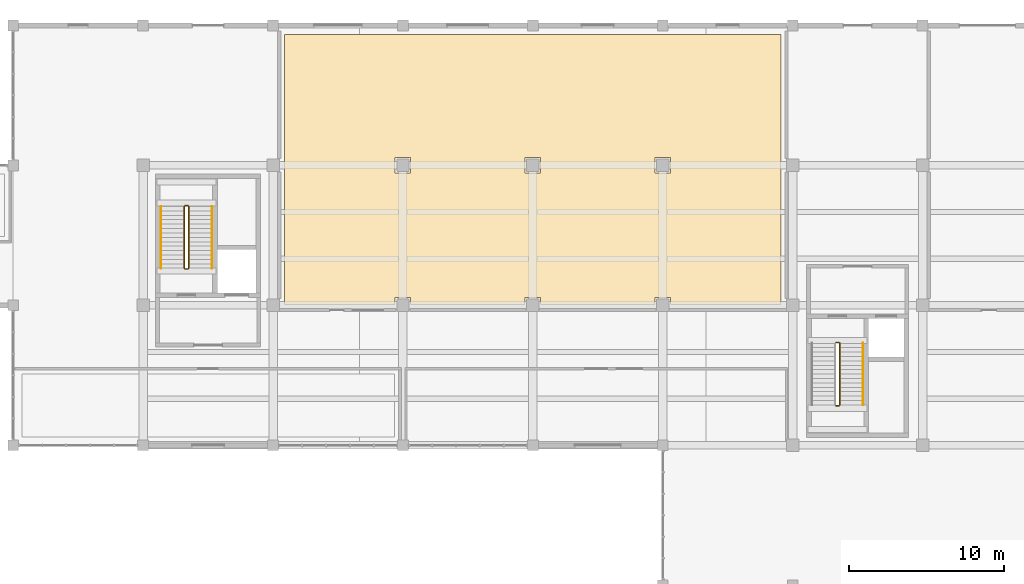
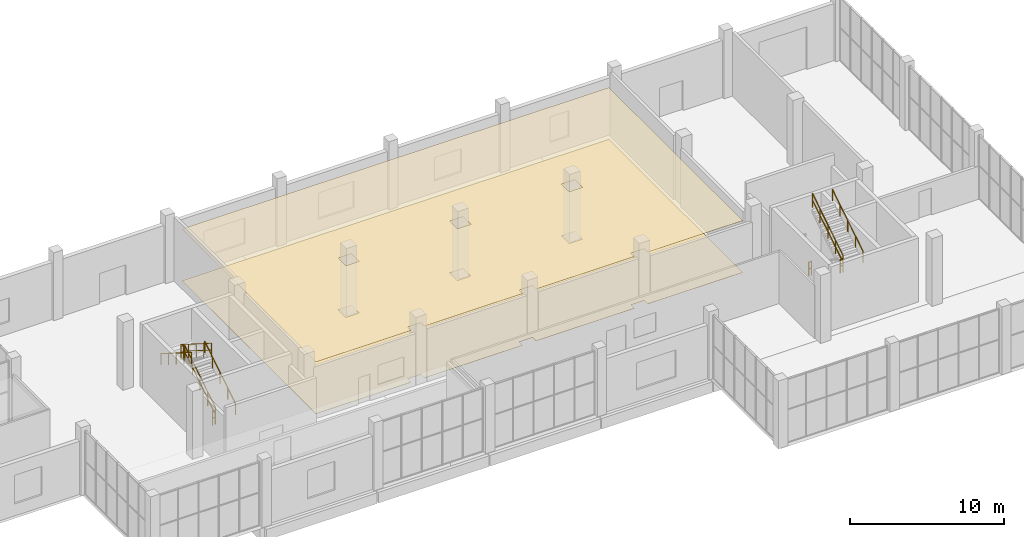
# One storey, part 90 of 91: 10 railings, 2 coverings.
"""IFC4 building model written with IfcOpenShell, lengths in metres."""

from ifc_helpers import new_model, si_unit, direction, frame, origin, origin_2d, place, context, subcontext, project, spatial, polyline, circle, outline, extrude, material, layer, layer_set, type_object, element, save


model = new_model("IFC4")

# Units and contexts
model_context = context("Model", 3, precision=1e-05, world=origin(), true_north=direction((0.0, 1.0)))
body_context = subcontext(model_context, "Body", "Model", "MODEL_VIEW")
ifc_project = project(units=[si_unit("LENGTHUNIT", "METRE"), si_unit("AREAUNIT", "SQUARE_METRE"), si_unit("VOLUMEUNIT", "CUBIC_METRE"), si_unit("PLANEANGLEUNIT", "RADIAN"), si_unit("MASSUNIT", "GRAM", prefix="KILO")], contexts=[model_context])

# Site, building, storey
site_placement = place(None, origin())
site = spatial("IfcSite", under=ifc_project, at=site_placement, CompositionType="ELEMENT")
building_placement = place(site_placement, origin())
building = spatial("IfcBuilding", under=site, at=building_placement, Name="Khurvash Pelagic Aquarium", CompositionType="ELEMENT")
storey_placement = place(building_placement, origin())
storey = spatial("IfcBuildingStorey", under=building, at=storey_placement, Name="L00", CompositionType="ELEMENT", Elevation=0.0)

# Coverings
ifc_material_1 = material(Name="Moisture-resistant acoustic mineral-fibre ceiling", Category="finish")
ifc_layer_1 = layer(ifc_material_1, 0.02490234375)
ifc_layer_set_1 = layer_set([ifc_layer_1], Name="Moisture-resistant acoustic mineral-fibre ceiling")
covering_type_1 = type_object("IfcCoveringType", Name="CV-CLG", PredefinedType="CEILING", material=ifc_layer_set_1)
covering_1_placement = place(storey_placement, frame((0.0, 0.0, 4.114990234375)))
element("IfcCovering", 1, at=covering_1_placement, inside=storey, type_object=covering_type_1, Name="L00 Elasmobranch Acclimation Tank Hall Suspended Acoustic Ceiling", PredefinedType="CEILING", context=body_context, shape_type="SweptSolid", body=[
    extrude(outline(polyline([(92.89990234375, 93.60009765625), (92.89990234375, 93.14990234375), (100.300048828125, 93.14990234375), (100.300048828125, 93.60009765625), (101.300048828125, 93.60009765625), (101.300048828125, 93.14990234375), (108.449951171875, 93.14990234375), (108.449951171875, 110.60009765625), (76.35009765625, 110.60009765625), (76.35009765625, 93.14990234375), (83.5, 93.14990234375), (83.5, 93.60009765625), (84.5, 93.60009765625), (84.5, 93.14990234375), (91.89990234375, 93.14990234375), (91.89990234375, 93.60009765625), (92.89990234375, 93.60009765625)]), holes=[polyline([(84.5, 101.64990234375), (83.5, 101.64990234375), (83.5, 102.64990234375), (84.5, 102.64990234375), (84.5, 101.64990234375)]), polyline([(91.89990234375, 102.64990234375), (92.89990234375, 102.64990234375), (92.89990234375, 101.64990234375), (91.89990234375, 101.64990234375), (91.89990234375, 102.64990234375)]), polyline([(101.300048828125, 101.64990234375), (100.300048828125, 101.64990234375), (100.300048828125, 102.64990234375), (101.300048828125, 102.64990234375), (101.300048828125, 101.64990234375)])]), origin(), (0.0, 0.0, 1.0), 0.02490234375),
])
ifc_material_2 = material(Name="Slip-resistant terrazzo and epoxy resin flooring", Category="finish")
ifc_layer_2 = layer(ifc_material_2, 0.02001953125)
ifc_layer_set_2 = layer_set([ifc_layer_2], Name="Slip-resistant terrazzo and epoxy resin flooring")
covering_type_2 = type_object("IfcCoveringType", Name="CV-FLR", PredefinedType="FLOORING", material=ifc_layer_set_2)
covering_2_placement = place(storey_placement, origin())
element("IfcCovering", 2, at=covering_2_placement, inside=storey, type_object=covering_type_2, Name="L00 Elasmobranch Acclimation Tank Hall Terrazzo Floor Finish", PredefinedType="FLOORING", context=body_context, shape_type="SweptSolid", body=[
    extrude(outline(polyline([(92.89990234375, 93.60009765625), (92.89990234375, 93.14990234375), (100.300048828125, 93.14990234375), (100.300048828125, 93.60009765625), (101.300048828125, 93.60009765625), (101.300048828125, 93.14990234375), (108.449951171875, 93.14990234375), (108.449951171875, 110.60009765625), (76.35009765625, 110.60009765625), (76.35009765625, 93.14990234375), (83.5, 93.14990234375), (83.5, 93.60009765625), (84.5, 93.60009765625), (84.5, 93.14990234375), (91.89990234375, 93.14990234375), (91.89990234375, 93.60009765625), (92.89990234375, 93.60009765625)]), holes=[polyline([(84.5, 101.64990234375), (83.5, 101.64990234375), (83.5, 102.64990234375), (84.5, 102.64990234375), (84.5, 101.64990234375)]), polyline([(91.89990234375, 102.64990234375), (92.89990234375, 102.64990234375), (92.89990234375, 101.64990234375), (91.89990234375, 101.64990234375), (91.89990234375, 102.64990234375)]), polyline([(101.300048828125, 101.64990234375), (100.300048828125, 101.64990234375), (100.300048828125, 102.64990234375), (101.300048828125, 102.64990234375), (101.300048828125, 101.64990234375)])]), origin(), (0.0, 0.0, 1.0), 0.02001953125),
])

# Railings
ifc_material_3 = material(Name="Powder-coated galvanised steel S355J2", Category="steel")
railing_type_1 = type_object("IfcRailingType", Name="GR-01", PredefinedType="GUARDRAIL", material=ifc_material_3)
railing_1_placement = place(storey_placement, frame((70.14990234375, 95.5, 0.179931640625)))
element("IfcRailing", 3, at=railing_1_placement, inside=storey, type_object=railing_type_1, Name="L00 ST-04 stair guard 1", PredefinedType="GUARDRAIL", context=body_context, shape_type="SweptSolid", body=[
    extrude(circle(Radius=0.02392578125, at=origin_2d()), frame((0.0, 0.0, 1.076171875), z_axis=(0.0, 0.845486444383, 0.533996884227), x_axis=(-1.0, 0.0, 0.0)), (0.0, 0.0, 1.0), 4.71923828125),
    extrude(circle(Radius=0.02392578125, at=origin_2d()), frame((0.0, 0.0, 0.5380859375), z_axis=(0.0, 0.845486444383, 0.533996884227), x_axis=(-1.0, 0.0, 0.0)), (0.0, 0.0, 1.0), 4.71923828125),
    extrude(circle(Radius=0.02099609375, at=origin_2d()), origin(), (0.0, 0.0, 1.0), 1.052001953125),
    extrude(circle(Radius=0.02099609375, at=origin_2d()), frame((0.0, 0.99755859375, 0.6298828125)), (0.0, 0.0, 1.0), 1.052001953125),
    extrude(circle(Radius=0.02099609375, at=origin_2d()), frame((0.0, 1.9951171875, 1.260009765625)), (0.0, 0.0, 1.0), 1.052001953125),
    extrude(circle(Radius=0.02099609375, at=origin_2d()), frame((0.0, 2.992431640625, 1.89013671875)), (0.0, 0.0, 1.0), 1.052001953125),
    extrude(circle(Radius=0.02099609375, at=origin_2d()), frame((0.0, 3.989990234375, 2.52001953125)), (0.0, 0.0, 1.0), 1.052001953125),
])
railing_2_placement = place(storey_placement, frame((70.10009765625, 99.5400390625, 2.699951171875)))
element("IfcRailing", 4, at=railing_2_placement, inside=storey, type_object=railing_type_1, Name="L00 ST-04 stair guard 2", PredefinedType="GUARDRAIL", context=body_context, shape_type="SweptSolid", body=[
    extrude(circle(Radius=0.02392578125, at=origin_2d()), frame((0.0, 0.0, 1.076171875), z_axis=(-1.0, 0.0, 0.0), x_axis=(0.0, -1.0, 0.0)), (0.0, 0.0, 1.0), 0.2001953125),
    extrude(circle(Radius=0.02392578125, at=origin_2d()), frame((0.0, 0.0, 0.5380859375), z_axis=(-1.0, 0.0, 0.0), x_axis=(0.0, -1.0, 0.0)), (0.0, 0.0, 1.0), 0.2001953125),
    extrude(circle(Radius=0.02099609375, at=origin_2d()), origin(), (0.0, 0.0, 1.0), 1.052001953125),
    extrude(circle(Radius=0.02099609375, at=origin_2d()), frame((-0.2001953125, 0.0, 0.0)), (0.0, 0.0, 1.0), 1.052001953125),
])
railing_3_placement = place(storey_placement, frame((69.85009765625, 99.489990234375, 2.8798828125)))
element("IfcRailing", 5, at=railing_3_placement, inside=storey, type_object=railing_type_1, Name="L00 ST-04 stair guard 3", PredefinedType="GUARDRAIL", context=body_context, shape_type="SweptSolid", body=[
    extrude(circle(Radius=0.02392578125, at=origin_2d()), frame((0.0, 0.0, 1.076171875), z_axis=(0.0, -0.845486444383, 0.533996884227), x_axis=(1.0, 0.0, 0.0)), (0.0, 0.0, 1.0), 4.71923828125),
    extrude(circle(Radius=0.02392578125, at=origin_2d()), frame((0.0, 0.0, 0.5380859375), z_axis=(0.0, -0.845486444383, 0.533996884227), x_axis=(1.0, 0.0, 0.0)), (0.0, 0.0, 1.0), 4.71923828125),
    extrude(circle(Radius=0.02099609375, at=origin_2d()), origin(), (0.0, 0.0, 1.0), 1.052001953125),
    extrude(circle(Radius=0.02099609375, at=origin_2d()), frame((0.0, -0.99755859375, 0.6298828125)), (0.0, 0.0, 1.0), 1.052001953125),
    extrude(circle(Radius=0.02099609375, at=origin_2d()), frame((0.0, -1.9951171875, 1.260009765625)), (0.0, 0.0, 1.0), 1.052001953125),
    extrude(circle(Radius=0.02099609375, at=origin_2d()), frame((0.0, -2.992431640625, 1.89013671875)), (0.0, 0.0, 1.0), 1.052001953125),
    extrude(circle(Radius=0.02099609375, at=origin_2d()), frame((0.0, -3.989990234375, 2.52001953125)), (0.0, 0.0, 1.0), 1.052001953125),
])
railing_4_placement = place(storey_placement, frame((70.10009765625, 95.449951171875, 0.0)))
element("IfcRailing", 6, at=railing_4_placement, inside=storey, type_object=railing_type_1, Name="L00 ST-04 stair guard 4", PredefinedType="GUARDRAIL", context=body_context, shape_type="SweptSolid", body=[
    extrude(circle(Radius=0.02392578125, at=origin_2d()), frame((0.0, 0.0, 1.076171875), z_axis=(-1.0, 0.0, 0.0), x_axis=(0.0, -1.0, 0.0)), (0.0, 0.0, 1.0), 0.2001953125),
    extrude(circle(Radius=0.02392578125, at=origin_2d()), frame((0.0, 0.0, 0.5380859375), z_axis=(-1.0, 0.0, 0.0), x_axis=(0.0, -1.0, 0.0)), (0.0, 0.0, 1.0), 0.2001953125),
    extrude(circle(Radius=0.02099609375, at=origin_2d()), origin(), (0.0, 0.0, 1.0), 1.052001953125),
    extrude(circle(Radius=0.02099609375, at=origin_2d()), frame((-0.2001953125, 0.0, 0.0)), (0.0, 0.0, 1.0), 1.052001953125),
])
railing_5_placement = place(storey_placement, frame((112.0, 86.610107421875, 2.699951171875)))
element("IfcRailing", 7, at=railing_5_placement, inside=storey, type_object=railing_type_1, Name="L00 ST-06 stair guard 2", PredefinedType="GUARDRAIL", context=body_context, shape_type="SweptSolid", body=[
    extrude(circle(Radius=0.02392578125, at=origin_2d()), frame((0.0, 0.0, 1.076171875), z_axis=(1.0, 0.0, 0.0), x_axis=(0.0, 1.0, 0.0)), (0.0, 0.0, 1.0), 0.199951171875),
    extrude(circle(Radius=0.02392578125, at=origin_2d()), frame((0.0, 0.0, 0.5380859375), z_axis=(1.0, 0.0, 0.0), x_axis=(0.0, 1.0, 0.0)), (0.0, 0.0, 1.0), 0.199951171875),
    extrude(circle(Radius=0.02099609375, at=origin_2d()), origin(), (0.0, 0.0, 1.0), 1.052001953125),
    extrude(circle(Radius=0.02099609375, at=origin_2d()), frame((0.199951171875, 0.0, 0.0)), (0.0, 0.0, 1.0), 1.052001953125),
])
railing_6_placement = place(storey_placement, frame((112.25, 86.659912109375, 2.8798828125)))
element("IfcRailing", 8, at=railing_6_placement, inside=storey, type_object=railing_type_1, Name="L00 ST-06 stair guard 3", PredefinedType="GUARDRAIL", context=body_context, shape_type="SweptSolid", body=[
    extrude(circle(Radius=0.02392578125, at=origin_2d()), frame((0.0, 0.0, 1.076171875), z_axis=(0.0, 0.845486444383, 0.533996884227), x_axis=(-1.0, 0.0, 0.0)), (0.0, 0.0, 1.0), 4.71923828125),
    extrude(circle(Radius=0.02392578125, at=origin_2d()), frame((0.0, 0.0, 0.5380859375), z_axis=(0.0, 0.845486444383, 0.533996884227), x_axis=(-1.0, 0.0, 0.0)), (0.0, 0.0, 1.0), 4.71923828125),
    extrude(circle(Radius=0.02099609375, at=origin_2d()), origin(), (0.0, 0.0, 1.0), 1.052001953125),
    extrude(circle(Radius=0.02099609375, at=origin_2d()), frame((0.0, 0.99755859375, 0.6298828125)), (0.0, 0.0, 1.0), 1.052001953125),
    extrude(circle(Radius=0.02099609375, at=origin_2d()), frame((0.0, 1.9951171875, 1.260009765625)), (0.0, 0.0, 1.0), 1.052001953125),
    extrude(circle(Radius=0.02099609375, at=origin_2d()), frame((0.0, 2.992431640625, 1.89013671875)), (0.0, 0.0, 1.0), 1.052001953125),
    extrude(circle(Radius=0.02099609375, at=origin_2d()), frame((0.0, 3.989990234375, 2.52001953125)), (0.0, 0.0, 1.0), 1.052001953125),
])
railing_7_placement = place(storey_placement, frame((112.0, 90.699951171875, 0.0)))
element("IfcRailing", 9, at=railing_7_placement, inside=storey, type_object=railing_type_1, Name="L00 ST-06 stair guard 4", PredefinedType="GUARDRAIL", context=body_context, shape_type="SweptSolid", body=[
    extrude(circle(Radius=0.02392578125, at=origin_2d()), frame((0.0, 0.0, 1.076171875), z_axis=(1.0, 0.0, 0.0), x_axis=(0.0, 1.0, 0.0)), (0.0, 0.0, 1.0), 0.199951171875),
    extrude(circle(Radius=0.02392578125, at=origin_2d()), frame((0.0, 0.0, 0.5380859375), z_axis=(1.0, 0.0, 0.0), x_axis=(0.0, 1.0, 0.0)), (0.0, 0.0, 1.0), 0.199951171875),
    extrude(circle(Radius=0.02099609375, at=origin_2d()), origin(), (0.0, 0.0, 1.0), 1.052001953125),
    extrude(circle(Radius=0.02099609375, at=origin_2d()), frame((0.199951171875, 0.0, 0.0)), (0.0, 0.0, 1.0), 1.052001953125),
])
ifc_material_4 = material(Name="Brushed stainless steel 316", Category="steel")
railing_type_2 = type_object("IfcRailingType", Name="HR-01", PredefinedType="HANDRAIL", material=ifc_material_4)
railing_8_placement = place(storey_placement, frame((71.64990234375, 95.5, 0.179931640625)))
element("IfcRailing", 10, at=railing_8_placement, inside=storey, type_object=railing_type_2, Name="L00 ST-04 stair handrail 1", PredefinedType="HANDRAIL", context=body_context, shape_type="SweptSolid", body=[
    extrude(circle(Radius=0.02392578125, at=origin_2d()), frame((0.0, 0.0, 0.8759765625), z_axis=(0.0, 0.845486444383, 0.533996884227), x_axis=(-1.0, 0.0, 0.0)), (0.0, 0.0, 1.0), 4.71923828125),
    extrude(circle(Radius=0.02099609375, at=origin_2d()), origin(), (0.0, 0.0, 1.0), 0.851806640625),
    extrude(circle(Radius=0.02099609375, at=origin_2d()), frame((0.0, 0.99755859375, 0.6298828125)), (0.0, 0.0, 1.0), 0.851806640625),
    extrude(circle(Radius=0.02099609375, at=origin_2d()), frame((0.0, 1.9951171875, 1.260009765625)), (0.0, 0.0, 1.0), 0.851806640625),
    extrude(circle(Radius=0.02099609375, at=origin_2d()), frame((0.0, 2.992431640625, 1.89013671875)), (0.0, 0.0, 1.0), 0.851806640625),
    extrude(circle(Radius=0.02099609375, at=origin_2d()), frame((0.0, 3.989990234375, 2.52001953125)), (0.0, 0.0, 1.0), 0.851806640625),
])
railing_9_placement = place(storey_placement, frame((68.35009765625, 99.489990234375, 2.8798828125)))
element("IfcRailing", 11, at=railing_9_placement, inside=storey, type_object=railing_type_2, Name="L00 ST-04 stair handrail 2", PredefinedType="HANDRAIL", context=body_context, shape_type="SweptSolid", body=[
    extrude(circle(Radius=0.02392578125, at=origin_2d()), frame((0.0, 0.0, 0.8759765625), z_axis=(0.0, -0.845486444383, 0.533996884227), x_axis=(1.0, 0.0, 0.0)), (0.0, 0.0, 1.0), 4.71923828125),
    extrude(circle(Radius=0.02099609375, at=origin_2d()), origin(), (0.0, 0.0, 1.0), 0.851806640625),
    extrude(circle(Radius=0.02099609375, at=origin_2d()), frame((0.0, -0.99755859375, 0.6298828125)), (0.0, 0.0, 1.0), 0.851806640625),
    extrude(circle(Radius=0.02099609375, at=origin_2d()), frame((0.0, -1.9951171875, 1.260009765625)), (0.0, 0.0, 1.0), 0.851806640625),
    extrude(circle(Radius=0.02099609375, at=origin_2d()), frame((0.0, -2.992431640625, 1.89013671875)), (0.0, 0.0, 1.0), 0.851806640625),
    extrude(circle(Radius=0.02099609375, at=origin_2d()), frame((0.0, -3.989990234375, 2.52001953125)), (0.0, 0.0, 1.0), 0.851806640625),
])
railing_10_placement = place(storey_placement, frame((113.75, 86.659912109375, 2.8798828125)))
element("IfcRailing", 12, at=railing_10_placement, inside=storey, type_object=railing_type_2, Name="L00 ST-06 stair handrail 2", PredefinedType="HANDRAIL", context=body_context, shape_type="SweptSolid", body=[
    extrude(circle(Radius=0.02392578125, at=origin_2d()), frame((0.0, 0.0, 0.8759765625), z_axis=(0.0, 0.845486444383, 0.533996884227), x_axis=(-1.0, 0.0, 0.0)), (0.0, 0.0, 1.0), 4.71923828125),
    extrude(circle(Radius=0.02099609375, at=origin_2d()), origin(), (0.0, 0.0, 1.0), 0.851806640625),
    extrude(circle(Radius=0.02099609375, at=origin_2d()), frame((0.0, 0.99755859375, 0.6298828125)), (0.0, 0.0, 1.0), 0.851806640625),
    extrude(circle(Radius=0.02099609375, at=origin_2d()), frame((0.0, 1.9951171875, 1.260009765625)), (0.0, 0.0, 1.0), 0.851806640625),
    extrude(circle(Radius=0.02099609375, at=origin_2d()), frame((0.0, 2.992431640625, 1.89013671875)), (0.0, 0.0, 1.0), 0.851806640625),
    extrude(circle(Radius=0.02099609375, at=origin_2d()), frame((0.0, 3.989990234375, 2.52001953125)), (0.0, 0.0, 1.0), 0.851806640625),
])

save(model, "model.ifc")
